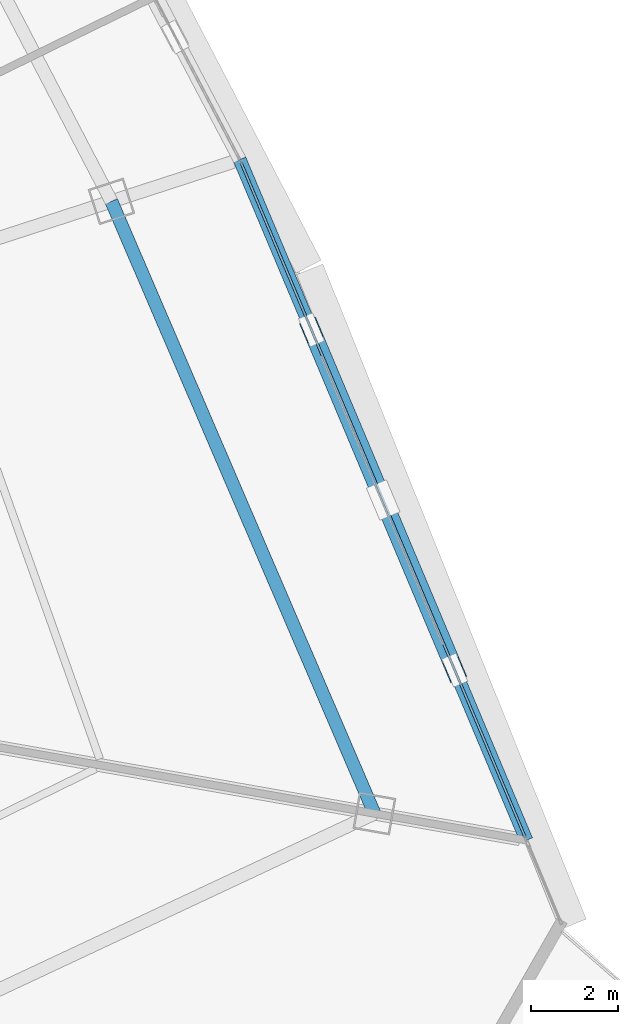
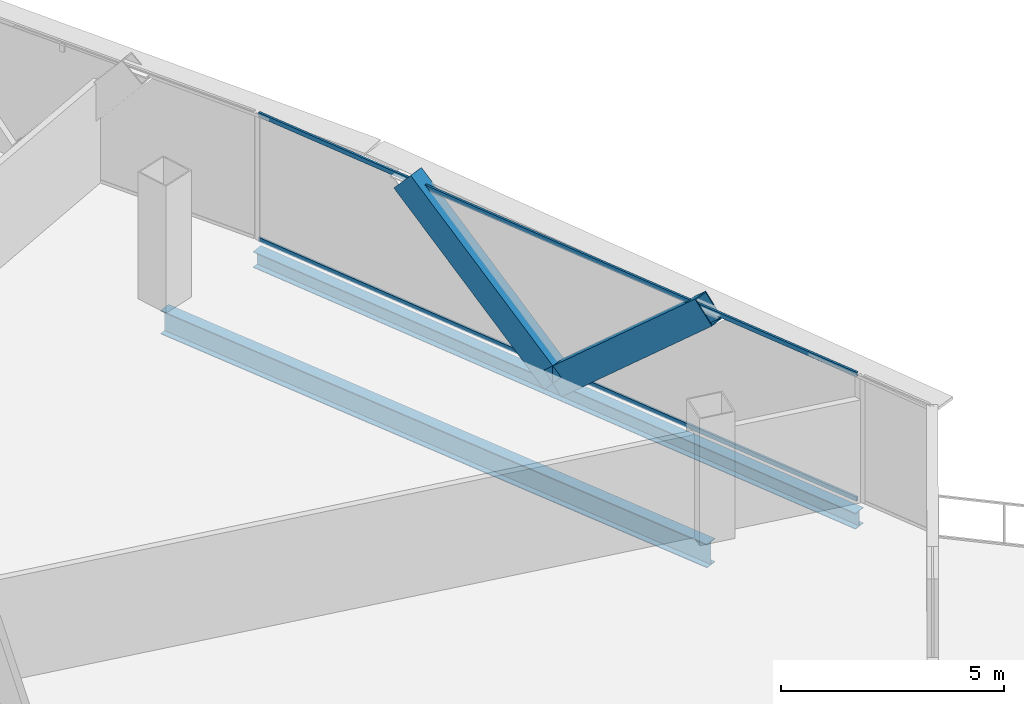
# One storey, part 22 of 34: 4 members, 2 beams, 1 element without a shape of its own.
"""IFC4 building model written with IfcOpenShell, lengths in metres."""

from ifc_helpers import new_model, si_unit, direction, frame, origin, origin_2d, place, context, subcontext, project, spatial, hollow_rectangle, i_section, extrude, source, transform, mapped, material, layer, layer_set, material_profile, profile_set, type_object, element, aggregate, save


model = new_model("IFC4")

# Units and contexts
model_context = context("Model", 3, precision=1e-05, world=origin(), true_north=direction((0.0, 1.0)))
body_context = subcontext(model_context, "Body", "Model", "MODEL_VIEW")
ifc_project = project(units=[si_unit("LENGTHUNIT", "METRE"), si_unit("AREAUNIT", "SQUARE_METRE"), si_unit("VOLUMEUNIT", "CUBIC_METRE"), si_unit("PLANEANGLEUNIT", "RADIAN"), si_unit("MASSUNIT", "GRAM", prefix="KILO"), si_unit("THERMODYNAMICTEMPERATUREUNIT", "KELVIN"), si_unit("POWERUNIT", "WATT")], contexts=[model_context])

# Site, building, storey
site_placement = place(None, origin())
site = spatial("IfcSite", under=ifc_project, at=site_placement, CompositionType="ELEMENT")
building_placement = place(site_placement, origin())
building = spatial("IfcBuilding", under=site, at=building_placement, Name="Yunzhuo Pagoda Commons", CompositionType="ELEMENT")
storey_placement = place(building_placement, frame((0.0, 0.0, 233.340087890625)))
storey = spatial("IfcBuildingStorey", under=building, at=storey_placement, Name="L58", CompositionType="ELEMENT", Elevation=233.340087890625)

# Beams
ifc_material_1 = material(Name="Structural steel Q355B", Category="steel")
ifc_material_profile_1 = material_profile(ifc_material_1, i_section(OverallWidth=0.300048828125, OverallDepth=0.43994140625, WebThickness=0.010986328125, FlangeThickness=0.01806640625, at=origin_2d()), Name="Structural steel Q355B")
ifc_profile_set_1 = profile_set([ifc_material_profile_1], Name="Structural steel Q355B")
beam_type_1 = type_object("IfcBeamType", Name="B-SP2 Beam HM 440x300x11x18", PredefinedType="BEAM", material=ifc_profile_set_1)
shared_shape_1 = source(origin(), body_context, "Body", "SweptSolid", [
    extrude(i_section(OverallWidth=0.300048828125, OverallDepth=0.43994140625, WebThickness=0.010986328125, FlangeThickness=0.01806640625, at=origin_2d()), origin(), (0.0, 0.0, 1.0), 16.947021484375),
])
beam_1_placement = place(storey_placement, frame((83.422607421875, 27.4541015625, -0.47998046875), z_axis=(-0.388172279694, 0.921586827856, 0.0), x_axis=(-0.921586827856, -0.388172279694, 0.0)))
element("IfcBeam", 1, at=beam_1_placement, inside=storey, type_object=beam_type_1, Name="L58 facade edge spandrel beam F2.1", PredefinedType="BEAM", context=body_context, shape_type="MappedRepresentation", body=[
    mapped(shared_shape_1, transform((0.0, 0.0, 0.0), scale=1.0)),
])
ifc_material_profile_2 = material_profile(ifc_material_1, i_section(OverallWidth=0.300048828125, OverallDepth=0.64990234375, WebThickness=0.012939453125, FlangeThickness=0.02197265625, at=origin_2d()), Name="Structural steel Q355B")
ifc_profile_set_2 = profile_set([ifc_material_profile_2], Name="Structural steel Q355B")
beam_type_2 = type_object("IfcBeamType", Name="B-RG2 Beam HN 650x300x13x22", PredefinedType="BEAM", material=ifc_profile_set_2)
shared_shape_2 = source(origin(), body_context, "Body", "SweptSolid", [
    extrude(i_section(OverallWidth=0.300048828125, OverallDepth=0.64990234375, WebThickness=0.012939453125, FlangeThickness=0.02197265625, at=origin_2d()), origin(), (0.0, 0.0, 1.0), 15.28759765625),
])
beam_2_placement = place(storey_placement, frame((79.93408203125, 28.069091796875, -0.585205078125), z_axis=(-0.394788372839, 0.918772083093, 0.0), x_axis=(-0.918772083093, -0.394788372839, 0.0)))
element("IfcBeam", 2, at=beam_2_placement, inside=storey, type_object=beam_type_2, Name="L58 column-ring beam 5", PredefinedType="BEAM", context=body_context, shape_type="MappedRepresentation", body=[
    mapped(shared_shape_2, transform((0.0, 0.0, 0.0), scale=1.0)),
])

# Members
ifc_material_profile_3 = material_profile(ifc_material_1, hollow_rectangle(XDim=0.39990234375, YDim=0.719970703125, WallThickness=0.02392578125, at=origin_2d()), Name="Structural steel Q355B")
ifc_profile_set_3 = profile_set([ifc_material_profile_3], Name="Structural steel Q355B")
member_type_1 = type_object("IfcMemberType", Name="M-DL2 Brace BOX 720x400x24", PredefinedType="BRACE", material=ifc_profile_set_3)
shared_shape_3 = source(origin(), body_context, "Body", "SweptSolid", [
    extrude(hollow_rectangle(XDim=0.39990234375, YDim=0.719970703125, WallThickness=0.02392578125, at=origin_2d()), origin(), (0.0, 0.0, 1.0), 5.644775390625),
])
member_1_placement = place(storey_placement, frame((80.13330078125, 35.26318359375, -0.260009765625), z_axis=(0.291380168499, -0.691708926051, 0.660784654049), x_axis=(0.921571366712, 0.388208985027, 0.0)))
element("IfcMember", 3, at=member_1_placement, inside=storey, type_object=member_type_1, Name="L58 facade diamond brace F2.1L", PredefinedType="BRACE", context=body_context, shape_type="MappedRepresentation", body=[
    mapped(shared_shape_3, transform((0.0, 0.0, 0.0), scale=1.0)),
])
shared_shape_4 = source(origin(), body_context, "Body", "SweptSolid", [
    extrude(hollow_rectangle(XDim=0.39990234375, YDim=0.719970703125, WallThickness=0.02392578125, at=origin_2d()), origin(), (0.0, 0.0, 1.0), 5.64453125),
])
member_2_placement = place(storey_placement, frame((80.13330078125, 35.26318359375, -0.260009765625), z_axis=(-0.291301008228, 0.691726358514, 0.660801307158), x_axis=(-0.921612594332, -0.388111100033, 0.0)))
element("IfcMember", 4, at=member_2_placement, inside=storey, type_object=member_type_1, Name="L58 facade diamond brace F2.1R", PredefinedType="BRACE", context=body_context, shape_type="MappedRepresentation", body=[
    mapped(shared_shape_4, transform((0.0, 0.0, 0.0), scale=1.0)),
])

# Curtain wall, members
ifc_material_2 = material(Name="Anodized aluminium 6063-T6", Category="aluminium")
ifc_layer = layer(ifc_material_2, 0.139892578125)
ifc_layer_set = layer_set([ifc_layer], Name="Anodized aluminium 6063-T6")
curtain_wall_type = type_object("IfcCurtainWallType", Name="CW-HI High-Zone Ribbon Curtain Wall", PredefinedType="NOTDEFINED", material=ifc_layer_set)
curtain_wall_placement = place(storey_placement, origin())
curtain_wall = element("IfcCurtainWall", 5, at=curtain_wall_placement, inside=storey, type_object=curtain_wall_type, Name="L58 curtain wall CW-L58-F2B2", PredefinedType="NOTDEFINED")
ifc_material_profile_4 = material_profile(ifc_material_2, hollow_rectangle(XDim=0.054931640625, YDim=0.1201171875, WallThickness=0.00341796875, at=origin_2d()), Name="Anodized aluminium 6063-T6")
ifc_profile_set_4 = profile_set([ifc_material_profile_4], Name="Anodized aluminium 6063-T6")
member_type_2 = type_object("IfcMemberType", Name="CW-HI-T Transom RHS 120x55x3.5", PredefinedType="USERDEFINED", material=ifc_profile_set_4)
shared_shape_5 = source(origin(), body_context, "Body", "SweptSolid", [
    extrude(hollow_rectangle(XDim=0.054931640625, YDim=0.1201171875, WallThickness=0.00341796875, at=origin_2d()), origin(), (0.0, 0.0, 1.0), 16.826904296875),
])
member_3_placement = place(storey_placement, frame((83.399169921875, 27.50927734375, 0.02734375), z_axis=(-0.388157536134, 0.921593037703, 0.0), x_axis=(-0.921593037703, -0.388157536134, 0.0)))
member_3 = element("IfcMember", 6, at=member_3_placement, type_object=member_type_2, Name="CW transom 1.1", ObjectType="TRANSOM", PredefinedType="USERDEFINED", context=body_context, shape_type="MappedRepresentation", body=[
    mapped(shared_shape_5, transform((0.0, 0.0, 0.0), scale=1.0)),
])
member_4_placement = place(storey_placement, frame((83.399169921875, 27.50927734375, 3.4423828125), z_axis=(-0.388157536134, 0.921593037703, 0.0), x_axis=(-0.921593037703, -0.388157536134, 0.0)))
member_4 = element("IfcMember", 7, at=member_4_placement, type_object=member_type_2, Name="CW transom 1.2", ObjectType="TRANSOM", PredefinedType="USERDEFINED", context=body_context, shape_type="MappedRepresentation", body=[
    mapped(shared_shape_5, transform((0.0, 0.0, 0.0), scale=1.0)),
])
aggregate(curtain_wall, [member_3, member_4])

save(model, "model.ifc")
